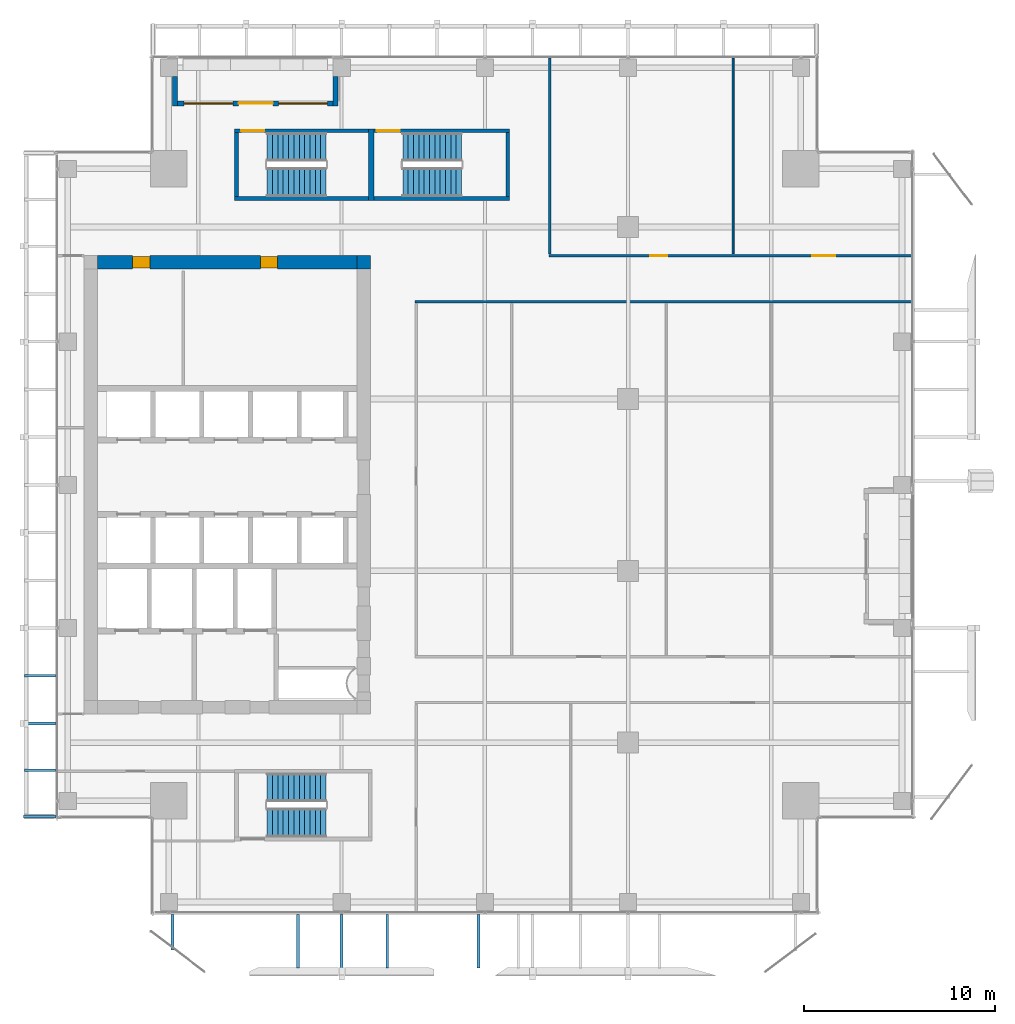
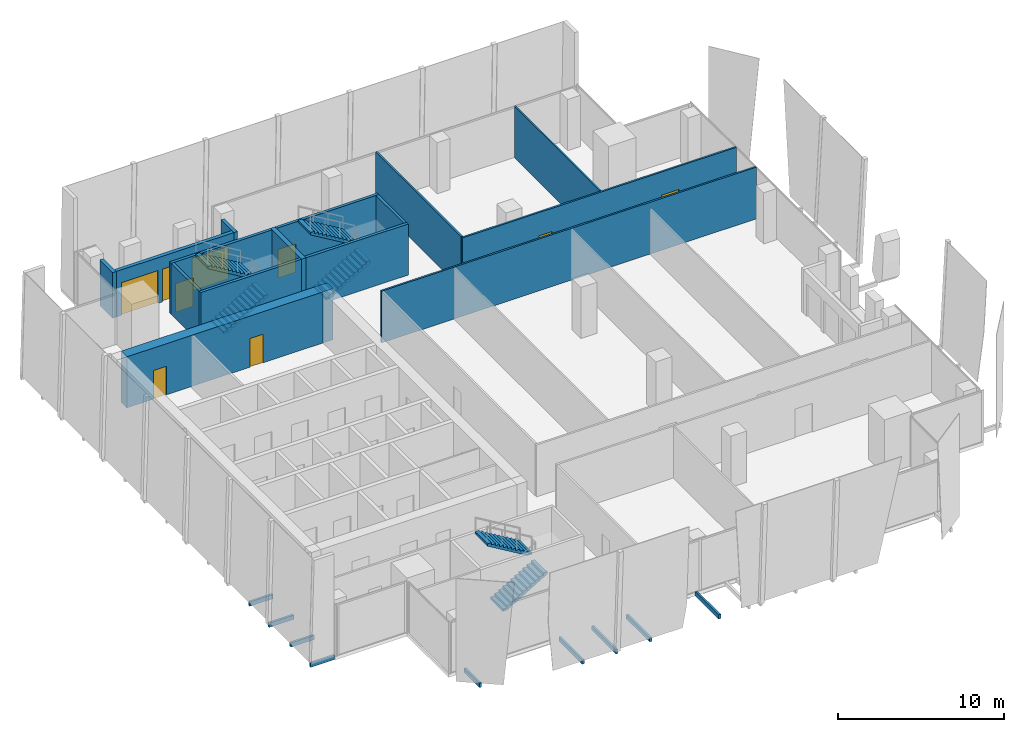
# One storey, part 30 of 35: 16 walls, 9 discrete accessories, 7 doors, 6 stair flights, 2 windows, 9 openings, 3 elements without a shape of their own.
"""IFC4 building model written with IfcOpenShell, lengths in metres."""

from ifc_helpers import new_model, si_unit, direction, frame, frame_2d, origin, origin_2d, place, context, subcontext, project, spatial, polyline, rectangle, outline, extrude, source, transform, mapped, material, layer, layer_set, type_object, element, fill, aggregate, save


model = new_model("IFC4")

# Units and contexts
model_context = context("Model", 3, precision=1e-05, world=origin(), true_north=direction((0.0, 1.0)))
body_context = subcontext(model_context, "Body", "Model", "MODEL_VIEW")
ifc_project = project(units=[si_unit("LENGTHUNIT", "METRE"), si_unit("AREAUNIT", "SQUARE_METRE"), si_unit("VOLUMEUNIT", "CUBIC_METRE"), si_unit("PLANEANGLEUNIT", "RADIAN"), si_unit("MASSUNIT", "GRAM", prefix="KILO")], contexts=[model_context])

# Site, building, storey
site_placement = place(None, origin())
site = spatial("IfcSite", under=ifc_project, at=site_placement, CompositionType="ELEMENT")
building_placement = place(site_placement, origin())
building = spatial("IfcBuilding", under=site, at=building_placement, Name="Khomas Fold Tower", CompositionType="ELEMENT")
storey_placement = place(building_placement, frame((0.0, 0.0, 258.199951171875)))
storey = spatial("IfcBuildingStorey", under=building, at=storey_placement, Name="L58", CompositionType="ELEMENT", Elevation=258.199951171875)

# Wall, opening, door
ifc_material_1 = material(Name="Concrete C50/60", Category="concrete")
ifc_layer_1 = layer(ifc_material_1, 0.199951171875)
ifc_layer_set_1 = layer_set([ifc_layer_1], Name="Concrete C50/60")
wall_type_1 = type_object("IfcWallType", Name="Stair wall 200", PredefinedType="SHEAR", material=ifc_layer_set_1)
shared_shape_1 = source(origin(), body_context, "Body", "SweptSolid", [
    extrude(rectangle(XDim=7.0, YDim=0.199951171875, at=frame_2d((3.5, 0.0))), origin(), (0.0, 0.0, 1.0), 3.75),
])
wall_1_placement = place(storey_placement, frame((13.89990234375, 45.550048828125, 0.0), z_axis=(0.0, 0.0, 1.0), x_axis=(1.0, 0.0, 0.0)))
wall_1 = element("IfcWall", 1, at=wall_1_placement, inside=storey, type_object=wall_type_1, Name="Stair wall SW-ST1-N", PredefinedType="SHEAR", context=body_context, shape_type="MappedRepresentation", body=[
    mapped(shared_shape_1, transform((0.0, 0.0, 0.0))),
])
shared_shape_2 = source(origin(), body_context, "Body", "SweptSolid", [
    extrude(rectangle(XDim=1.199951171875, YDim=2.10009765625, at=frame_2d((0.60009765625, 1.050048828125))), frame((0.0, 0.10986328125, 0.0), z_axis=(0.0, -1.0, 0.0), x_axis=(1.0, 0.0, 0.0)), (0.0, 0.0, 1.0), 0.219970703125),
])
opening_1_placement = place(wall_1_placement, frame((0.35009765625, 0.0, 0.0)))
opening_1 = element("IfcOpeningElement", 2, at=opening_1_placement, cuts=wall_1, Name="Opening SD-ST1", PredefinedType="OPENING", context=body_context, shape_type="MappedRepresentation", body=[
    mapped(shared_shape_2, transform((0.0, 0.0, 0.0))),
])
ifc_material_2 = material(Name="Steel door leaf", Category="steel")
door_type_1 = type_object("IfcDoorType", Name="Stair door 1200x2100 left-hand", OperationType="SINGLE_SWING_LEFT", PredefinedType="DOOR", material=ifc_material_2)
shared_shape_3 = source(origin(), body_context, "Body", "SweptSolid", [
    extrude(rectangle(XDim=1.199951171875, YDim=2.10009765625, at=frame_2d((0.60009765625, 1.050048828125))), frame((0.0, 0.02490234375, 0.0), z_axis=(0.0, -1.0, 0.0), x_axis=(1.0, 0.0, 0.0)), (0.0, 0.0, 1.0), 0.050048828125),
])
door_1_placement = place(opening_1_placement, origin())
door_1 = element("IfcDoor", 3, at=door_1_placement, inside=storey, type_object=door_type_1, Name="Stair door", OperationType="SINGLE_SWING_LEFT", OverallHeight=2.10009765625, OverallWidth=1.199951171875, PredefinedType="DOOR", context=body_context, shape_type="MappedRepresentation", body=[
    mapped(shared_shape_3, transform((0.0, 0.0, 0.0))),
])
fill(opening_1, door_1)

# Wall
wall_2_placement = place(storey_placement, frame((13.89990234375, 42.0, 0.0), z_axis=(0.0, 0.0, 1.0), x_axis=(1.0, 0.0, 0.0)))
element("IfcWall", 4, at=wall_2_placement, inside=storey, type_object=wall_type_1, Name="Stair wall SW-ST1-S", PredefinedType="SHEAR", context=body_context, shape_type="MappedRepresentation", body=[
    mapped(shared_shape_1, transform((0.0, 0.0, 0.0))),
])

# Wall, opening, door
shared_shape_4 = source(origin(), body_context, "Body", "SweptSolid", [
    extrude(rectangle(XDim=7.10009765625, YDim=0.199951171875, at=frame_2d((3.550048828125, 0.0))), origin(), (0.0, 0.0, 1.0), 3.75),
])
wall_3_placement = place(storey_placement, frame((21.199951171875, 45.550048828125, 0.0), z_axis=(0.0, 0.0, 1.0), x_axis=(1.0, 0.0, 0.0)))
wall_3 = element("IfcWall", 5, at=wall_3_placement, inside=storey, type_object=wall_type_1, Name="Stair wall SW-ST3-N", PredefinedType="SHEAR", context=body_context, shape_type="MappedRepresentation", body=[
    mapped(shared_shape_4, transform((0.0, 0.0, 0.0))),
])
opening_2_placement = place(wall_3_placement, frame((0.14990234375, 0.0, 0.0)))
opening_2 = element("IfcOpeningElement", 6, at=opening_2_placement, cuts=wall_3, Name="Opening SD-ST3", PredefinedType="OPENING", context=body_context, shape_type="MappedRepresentation", body=[
    mapped(shared_shape_2, transform((0.0, 0.0, 0.0))),
])
door_2_placement = place(opening_2_placement, origin())
door_2 = element("IfcDoor", 7, at=door_2_placement, inside=storey, type_object=door_type_1, Name="Stair door", OperationType="SINGLE_SWING_LEFT", OverallHeight=2.10009765625, OverallWidth=1.199951171875, PredefinedType="DOOR", context=body_context, shape_type="MappedRepresentation", body=[
    mapped(shared_shape_3, transform((0.0, 0.0, 0.0))),
])
fill(opening_2, door_2)

# Walls
wall_4_placement = place(storey_placement, frame((21.199951171875, 42.0, 0.0), z_axis=(0.0, 0.0, 1.0), x_axis=(1.0, 0.0, 0.0)))
element("IfcWall", 8, at=wall_4_placement, inside=storey, type_object=wall_type_1, Name="Stair wall SW-ST3-S", PredefinedType="SHEAR", context=body_context, shape_type="MappedRepresentation", body=[
    mapped(shared_shape_4, transform((0.0, 0.0, 0.0))),
])
ifc_material_3 = material(Name="Concrete C50/60", Category="concrete")
ifc_layer_2 = layer(ifc_material_3, 0.300048828125)
ifc_layer_set_2 = layer_set([ifc_layer_2], Name="Concrete C50/60")
wall_type_2 = type_object("IfcWallType", Name="Stair wall 300", PredefinedType="SHEAR", material=ifc_layer_set_2)
shared_shape_5 = source(origin(), body_context, "Body", "SweptSolid", [
    extrude(rectangle(XDim=3.75, YDim=0.300048828125, at=frame_2d((1.875, 0.0))), origin(), (0.0, 0.0, 1.0), 3.75),
])
wall_5_placement = place(storey_placement, frame((21.050048828125, 41.89990234375, 0.0), z_axis=(0.0, 0.0, 1.0), x_axis=(0.0, 1.0, 0.0)))
element("IfcWall", 9, at=wall_5_placement, inside=storey, type_object=wall_type_2, Name="Stair wall SW-ST1-E", PredefinedType="SHEAR", context=body_context, shape_type="MappedRepresentation", body=[
    mapped(shared_shape_5, transform((0.0, 0.0, 0.0))),
])
shared_shape_6 = source(origin(), body_context, "Body", "SweptSolid", [
    extrude(rectangle(XDim=3.349853515625, YDim=0.199951171875, at=frame_2d((1.6748046875, 0.0))), origin(), (0.0, 0.0, 1.0), 3.75),
])
for number, where, z_axis, x_axis, name in (
    (10, (14.0, 42.10009765625, 0.0), (0.0, 0.0, 1.0), (0.0, 1.0, 0.0), "Stair wall SW-ST1-W"),
    (11, (28.199951171875, 42.10009765625, 0.0), (0.0, 0.0, 1.0), (0.0, 1.0, 0.0), "Stair wall SW-ST3-E"),
):
    element("IfcWall", number, at=place(storey_placement, frame(where, z_axis=z_axis, x_axis=x_axis)), inside=storey, type_object=wall_type_1, Name=name, PredefinedType="SHEAR", context=body_context, shape_type="MappedRepresentation", body=[
        mapped(shared_shape_6, transform((0.0, 0.0, 0.0))),
    ])

# Wall, openings, doors
ifc_material_4 = material(Name="Concrete C60/75", Category="concrete")
ifc_layer_3 = layer(ifc_material_4, 0.699951171875)
ifc_layer_set_3 = layer_set([ifc_layer_3], Name="Concrete C60/75")
wall_type_3 = type_object("IfcWallType", Name="Core wall 700", PredefinedType="SHEAR", material=ifc_layer_set_3)
shared_shape_7 = source(origin(), body_context, "Body", "SweptSolid", [
    extrude(rectangle(XDim=13.60009765625, YDim=0.699951171875, at=frame_2d((6.800048828125, 0.0))), origin(), (0.0, 0.0, 1.0), 3.75),
])
wall_6_placement = place(storey_placement, frame((6.699951171875, 38.64990234375, 0.0), z_axis=(0.0, 0.0, 1.0), x_axis=(1.0, 0.0, 0.0)))
wall_6 = element("IfcWall", 12, at=wall_6_placement, inside=storey, type_object=wall_type_3, Name="Core wall CW-U-N-L49", PredefinedType="SHEAR", context=body_context, shape_type="MappedRepresentation", body=[
    mapped(shared_shape_7, transform((0.0, 0.0, 0.0))),
])
shared_shape_8 = source(origin(), body_context, "Body", "SweptSolid", [
    extrude(rectangle(XDim=0.89990234375, YDim=2.10009765625, at=frame_2d((0.449951171875, 1.050048828125))), frame((0.0, 0.35986328125, 0.0), z_axis=(0.0, -1.0, 0.0), x_axis=(1.0, 0.0, 0.0)), (0.0, 0.0, 1.0), 0.719970703125),
])
opening_3_placement = place(wall_6_placement, frame((1.85009765625, 0.0, 0.0)))
opening_3 = element("IfcOpeningElement", 13, at=opening_3_placement, cuts=wall_6, Name="Opening 0003", PredefinedType="OPENING", context=body_context, shape_type="MappedRepresentation", body=[
    mapped(shared_shape_8, transform((0.0, 0.0, 0.0))),
])
opening_4_placement = place(wall_6_placement, frame((8.550048828125, 0.0, 0.0)))
opening_4 = element("IfcOpeningElement", 14, at=opening_4_placement, cuts=wall_6, Name="Opening 0008", PredefinedType="OPENING", context=body_context, shape_type="MappedRepresentation", body=[
    mapped(shared_shape_8, transform((0.0, 0.0, 0.0))),
])
ifc_material_5 = material(Name="Steel door leaf", Category="steel")
door_type_2 = type_object("IfcDoorType", Name="Plant room door 900x2100 right-hand", OperationType="SINGLE_SWING_RIGHT", PredefinedType="DOOR", material=ifc_material_5)
shared_shape_9 = source(origin(), body_context, "Body", "SweptSolid", [
    extrude(rectangle(XDim=0.89990234375, YDim=2.10009765625, at=frame_2d((0.449951171875, 1.050048828125))), frame((0.0, 0.2998046875, 0.0), z_axis=(0.0, -1.0, 0.0), x_axis=(1.0, 0.0, 0.0)), (0.0, 0.0, 1.0), 0.599853515625),
])
door_3_placement = place(opening_3_placement, origin())
door_3 = element("IfcDoor", 15, at=door_3_placement, inside=storey, type_object=door_type_2, Name="Plant room door", OperationType="SINGLE_SWING_RIGHT", OverallHeight=2.10009765625, OverallWidth=0.89990234375, PredefinedType="DOOR", context=body_context, shape_type="MappedRepresentation", body=[
    mapped(shared_shape_9, transform((0.0, 0.0, 0.0))),
])
fill(opening_3, door_3)
ifc_material_6 = material(Name="Timber door leaf", Category="wood")
door_type_3 = type_object("IfcDoorType", Name="Door 900x2100 right-hand", OperationType="SINGLE_SWING_RIGHT", PredefinedType="DOOR", material=ifc_material_6)
door_4_placement = place(opening_4_placement, origin())
door_4 = element("IfcDoor", 16, at=door_4_placement, inside=storey, type_object=door_type_3, Name="Door", OperationType="SINGLE_SWING_RIGHT", OverallHeight=2.10009765625, OverallWidth=0.89990234375, PredefinedType="DOOR", context=body_context, shape_type="MappedRepresentation", body=[
    mapped(shared_shape_9, transform((0.0, 0.0, 0.0))),
])
fill(opening_4, door_4)

# Wall
ifc_material_7 = material(Name="Concrete C60/75", Category="concrete")
ifc_layer_4 = layer(ifc_material_7, 0.699951171875)
ifc_layer_set_4 = layer_set([ifc_layer_4], Name="Concrete C60/75")
wall_type_4 = type_object("IfcWallType", Name="Core corner wall 700", PredefinedType="SHEAR", material=ifc_layer_set_4)
shared_shape_10 = source(origin(), body_context, "Body", "SweptSolid", [
    extrude(rectangle(XDim=0.699951171875, YDim=0.699951171875, at=frame_2d((0.35009765625, 0.0))), origin(), (0.0, 0.0, 1.0), 3.75),
])
wall_7_placement = place(storey_placement, frame((20.300048828125, 38.64990234375, 0.0), z_axis=(0.0, 0.0, 1.0), x_axis=(1.0, 0.0, 0.0)))
element("IfcWall", 17, at=wall_7_placement, inside=storey, type_object=wall_type_4, Name="Core wall CW-U-NE-L49", PredefinedType="SHEAR", context=body_context, shape_type="MappedRepresentation", body=[
    mapped(shared_shape_10, transform((0.0, 0.0, 0.0))),
])

# Wall, openings, door, windows
ifc_material_8 = material(Name="Natural stone", Category="masonry")
ifc_layer_5 = layer(ifc_material_8, 0.0400390625)
ifc_material_9 = material(Name="Mineral wool insulation", Category="insulation")
ifc_layer_6 = layer(ifc_material_9, 0.10009765625)
ifc_material_10 = material(Name="Masonry", Category="masonry")
ifc_layer_7 = layer(ifc_material_10, 0.110107421875)
ifc_layer_set_5 = layer_set([ifc_layer_5, ifc_layer_6, ifc_layer_7], Name="Stone-faced insulated masonry")
wall_type_5 = type_object("IfcWallType", Name="BL-Balcony wall", PredefinedType="SOLIDWALL", material=ifc_layer_set_5)
shared_shape_11 = source(origin(), body_context, "Body", "SweptSolid", [
    extrude(rectangle(XDim=8.150146484375, YDim=0.25, at=frame_2d((4.0751953125, 0.0))), origin(), (0.0, 0.0, 1.0), 3.35009765625),
])
wall_8_placement = place(storey_placement, frame((10.89990234375, 46.97509765625, 0.0), z_axis=(0.0, 0.0, 1.0), x_axis=(1.0, 0.0, 0.0)))
wall_8 = element("IfcWall", 18, at=wall_8_placement, inside=storey, type_object=wall_type_5, Name="Balcony wall BAL-L58-N1", PredefinedType="SOLIDWALL", context=body_context, shape_type="MappedRepresentation", body=[
    mapped(shared_shape_11, transform((0.0, 0.0, 0.0))),
])
shared_shape_12 = source(origin(), body_context, "Body", "SweptSolid", [
    extrude(rectangle(XDim=2.550048828125, YDim=2.39990234375, at=frame_2d((1.27490234375, 1.199951171875))), frame((0.0, 0.135009765625, 0.0), z_axis=(0.0, -1.0, 0.0), x_axis=(1.0, 0.0, 0.0)), (0.0, 0.0, 1.0), 0.27001953125),
])
opening_5_placement = place(wall_8_placement, frame((0.35009765625, 0.0, 0.0)))
opening_5 = element("IfcOpeningElement", 19, at=opening_5_placement, cuts=wall_8, Name="Opening BL-W4", PredefinedType="OPENING", context=body_context, shape_type="MappedRepresentation", body=[
    mapped(shared_shape_12, transform((0.0, 0.0, 0.0))),
])
opening_6_placement = place(wall_8_placement, frame((5.300048828125, 0.0, 0.0)))
opening_6 = element("IfcOpeningElement", 20, at=opening_6_placement, cuts=wall_8, Name="Opening BL-W4", PredefinedType="OPENING", context=body_context, shape_type="MappedRepresentation", body=[
    mapped(shared_shape_12, transform((0.0, 0.0, 0.0))),
])
shared_shape_13 = source(origin(), body_context, "Body", "SweptSolid", [
    extrude(rectangle(XDim=1.800048828125, YDim=2.39990234375, at=frame_2d((0.89990234375, 1.199951171875))), frame((0.0, 0.135009765625, 0.0), z_axis=(0.0, -1.0, 0.0), x_axis=(1.0, 0.0, 0.0)), (0.0, 0.0, 1.0), 0.27001953125),
])
opening_7_placement = place(wall_8_placement, frame((3.199951171875, 0.0, 0.0)))
opening_7 = element("IfcOpeningElement", 21, at=opening_7_placement, cuts=wall_8, Name="Opening BD582", PredefinedType="OPENING", context=body_context, shape_type="MappedRepresentation", body=[
    mapped(shared_shape_13, transform((0.0, 0.0, 0.0))),
])
ifc_material_11 = material(Name="Aluminium framed double glazing", Category="aluminium")
door_type_4 = type_object("IfcDoorType", Name="BL-Glazed balcony door 1800 x 2400", OperationType="DOUBLE_DOOR_DOUBLE_SWING", PredefinedType="DOOR", material=ifc_material_11)
shared_shape_14 = source(origin(), body_context, "Body", "SweptSolid", [
    extrude(rectangle(XDim=1.800048828125, YDim=2.39990234375, at=frame_2d((0.89990234375, 1.199951171875))), frame((0.0, 0.02490234375, 0.0), z_axis=(0.0, -1.0, 0.0), x_axis=(1.0, 0.0, 0.0)), (0.0, 0.0, 1.0), 0.050048828125),
])
door_5_placement = place(opening_7_placement, origin())
door_5 = element("IfcDoor", 22, at=door_5_placement, inside=storey, type_object=door_type_4, Name="Balcony door BD582", OperationType="DOUBLE_DOOR_DOUBLE_SWING", OverallHeight=2.39990234375, OverallWidth=1.800048828125, PredefinedType="DOOR", context=body_context, shape_type="MappedRepresentation", body=[
    mapped(shared_shape_14, transform((0.0, 0.0, 0.0))),
])
fill(opening_7, door_5)
ifc_material_12 = material(Name="Aluminium framed double glazing", Category="aluminium")
window_type = type_object("IfcWindowType", Name="BL-Fixed glazing 2550 x 2400", PartitioningType="SINGLE_PANEL", PredefinedType="WINDOW", material=ifc_material_12)
shared_shape_15 = source(origin(), body_context, "Body", "SweptSolid", [
    extrude(rectangle(XDim=2.550048828125, YDim=2.39990234375, at=frame_2d((1.27490234375, 1.199951171875))), frame((0.0, 0.030029296875, 0.0), z_axis=(0.0, -1.0, 0.0), x_axis=(1.0, 0.0, 0.0)), (0.0, 0.0, 1.0), 0.06005859375),
])
window_1_placement = place(opening_5_placement, origin())
window_1 = element("IfcWindow", 23, at=window_1_placement, inside=storey, type_object=window_type, Name="Balcony glazing BAL-L58-N1-1", OverallHeight=2.39990234375, OverallWidth=2.550048828125, PartitioningType="SINGLE_PANEL", PredefinedType="WINDOW", context=body_context, shape_type="MappedRepresentation", body=[
    mapped(shared_shape_15, transform((0.0, 0.0, 0.0))),
])
fill(opening_5, window_1)
window_2_placement = place(opening_6_placement, origin())
window_2 = element("IfcWindow", 24, at=window_2_placement, inside=storey, type_object=window_type, Name="Balcony glazing BAL-L58-N1-2", OverallHeight=2.39990234375, OverallWidth=2.550048828125, PartitioningType="SINGLE_PANEL", PredefinedType="WINDOW", context=body_context, shape_type="MappedRepresentation", body=[
    mapped(shared_shape_15, transform((0.0, 0.0, 0.0))),
])
fill(opening_6, window_2)

# Walls
shared_shape_16 = source(origin(), body_context, "Body", "SweptSolid", [
    extrude(rectangle(XDim=1.5498046875, YDim=0.25, at=frame_2d((0.77490234375, 0.0))), origin(), (0.0, 0.0, 1.0), 3.35009765625),
])
for number, where, z_axis, x_axis, name in (
    (25, (10.77490234375, 48.39990234375, 0.0), (0.0, 0.0, 1.0), (0.0, -1.0, 0.0), "Balcony return wall BAL-L58-N1-lo"),
    (26, (19.175048828125, 48.39990234375, 0.0), (0.0, 0.0, 1.0), (0.0, -1.0, 0.0), "Balcony return wall BAL-L58-N1-hi"),
):
    element("IfcWall", number, at=place(storey_placement, frame(where, z_axis=z_axis, x_axis=x_axis)), inside=storey, type_object=wall_type_5, Name=name, PredefinedType="SOLIDWALL", context=body_context, shape_type="MappedRepresentation", body=[
        mapped(shared_shape_16, transform((0.0, 0.0, 0.0))),
    ])
ifc_material_13 = material(Name="Plasterboard partition")
ifc_layer_8 = layer(ifc_material_13, 0.125)
ifc_layer_set_6 = layer_set([ifc_layer_8], Name="Plasterboard partition")
wall_type_6 = type_object("IfcWallType", Name="Partition PW2 125", PredefinedType="PARTITIONING", material=ifc_layer_set_6)
shared_shape_17 = source(origin(), body_context, "Body", "SweptSolid", [
    extrude(rectangle(XDim=26.0, YDim=0.125, at=frame_2d((13.0, 0.0))), origin(), (0.0, 0.0, 1.0), 3.800048828125),
])
wall_9_placement = place(storey_placement, frame((23.35009765625, 36.60009765625, 0.0), z_axis=(0.0, 0.0, 1.0), x_axis=(1.0, 0.0, 0.0)))
element("IfcWall", 27, at=wall_9_placement, inside=storey, type_object=wall_type_6, Name="Partition", PredefinedType="PARTITIONING", context=body_context, shape_type="MappedRepresentation", body=[
    mapped(shared_shape_17, transform((0.0, 0.0, 0.0))),
])

# Wall, openings, doors
shared_shape_18 = source(origin(), body_context, "Body", "SweptSolid", [
    extrude(rectangle(XDim=19.0, YDim=0.125, at=frame_2d((9.5, 0.0))), origin(), (0.0, 0.0, 1.0), 3.800048828125),
])
wall_10_placement = place(storey_placement, frame((30.35009765625, 39.0, 0.0), z_axis=(0.0, 0.0, 1.0), x_axis=(1.0, 0.0, 0.0)))
wall_10 = element("IfcWall", 28, at=wall_10_placement, inside=storey, type_object=wall_type_6, Name="Partition", PredefinedType="PARTITIONING", context=body_context, shape_type="MappedRepresentation", body=[
    mapped(shared_shape_18, transform((0.0, 0.0, 0.0))),
])
shared_shape_19 = source(origin(), body_context, "Body", "SweptSolid", [
    extrude(rectangle(XDim=0.89990234375, YDim=2.10009765625, at=frame_2d((0.449951171875, 1.050048828125))), frame((0.0, 0.072509765625, 0.0), z_axis=(0.0, -1.0, 0.0), x_axis=(1.0, 0.0, 0.0)), (0.0, 0.0, 1.0), 0.14501953125),
])
opening_8_placement = place(wall_10_placement, frame((5.300048828125, 0.0, 0.0)))
opening_8 = element("IfcOpeningElement", 29, at=opening_8_placement, cuts=wall_10, Name="Opening 0007", PredefinedType="OPENING", context=body_context, shape_type="MappedRepresentation", body=[
    mapped(shared_shape_19, transform((0.0, 0.0, 0.0))),
])
shared_shape_20 = source(origin(), body_context, "Body", "SweptSolid", [
    extrude(rectangle(XDim=1.199951171875, YDim=2.10009765625, at=frame_2d((0.60009765625, 1.050048828125))), frame((0.0, 0.072509765625, 0.0), z_axis=(0.0, -1.0, 0.0), x_axis=(1.0, 0.0, 0.0)), (0.0, 0.0, 1.0), 0.14501953125),
])
opening_9_placement = place(wall_10_placement, frame((13.800048828125, 0.0, 0.0)))
opening_9 = element("IfcOpeningElement", 30, at=opening_9_placement, cuts=wall_10, Name="Opening 0013", PredefinedType="OPENING", context=body_context, shape_type="MappedRepresentation", body=[
    mapped(shared_shape_20, transform((0.0, 0.0, 0.0))),
])
ifc_material_14 = material(Name="Timber door leaf", Category="wood")
door_type_5 = type_object("IfcDoorType", Name="Door 900x2100 left-hand", OperationType="SINGLE_SWING_LEFT", PredefinedType="DOOR", material=ifc_material_14)
shared_shape_21 = source(origin(), body_context, "Body", "SweptSolid", [
    extrude(rectangle(XDim=0.89990234375, YDim=2.10009765625, at=frame_2d((0.449951171875, 1.050048828125))), frame((0.0, 0.02490234375, 0.0), z_axis=(0.0, -1.0, 0.0), x_axis=(1.0, 0.0, 0.0)), (0.0, 0.0, 1.0), 0.050048828125),
])
door_6_placement = place(opening_8_placement, origin())
door_6 = element("IfcDoor", 31, at=door_6_placement, inside=storey, type_object=door_type_5, Name="Door", OperationType="SINGLE_SWING_LEFT", OverallHeight=2.10009765625, OverallWidth=0.89990234375, PredefinedType="DOOR", context=body_context, shape_type="MappedRepresentation", body=[
    mapped(shared_shape_21, transform((0.0, 0.0, 0.0))),
])
fill(opening_8, door_6)
ifc_material_15 = material(Name="Timber door leaf", Category="wood")
door_type_6 = type_object("IfcDoorType", Name="Door 1200x2100 left-hand", OperationType="SINGLE_SWING_LEFT", PredefinedType="DOOR", material=ifc_material_15)
door_7_placement = place(opening_9_placement, origin())
door_7 = element("IfcDoor", 32, at=door_7_placement, inside=storey, type_object=door_type_6, Name="Door", OperationType="SINGLE_SWING_LEFT", OverallHeight=2.10009765625, OverallWidth=1.199951171875, PredefinedType="DOOR", context=body_context, shape_type="MappedRepresentation", body=[
    mapped(shared_shape_3, transform((0.0, 0.0, 0.0))),
])
fill(opening_9, door_7)

# Walls
shared_shape_22 = source(origin(), body_context, "Body", "SweptSolid", [
    extrude(rectangle(XDim=10.25, YDim=0.125, at=frame_2d((5.125, 0.0))), origin(), (0.0, 0.0, 1.0), 3.800048828125),
])
wall_11_placement = place(storey_placement, frame((30.39990234375, 39.10009765625, 0.0), z_axis=(0.0, 0.0, 1.0), x_axis=(0.0, 1.0, 0.0)))
element("IfcWall", 33, at=wall_11_placement, inside=storey, type_object=wall_type_6, Name="Partition", PredefinedType="PARTITIONING", context=body_context, shape_type="MappedRepresentation", body=[
    mapped(shared_shape_22, transform((0.0, 0.0, 0.0))),
])
ifc_material_16 = material(Name="Plasterboard partition")
ifc_layer_9 = layer(ifc_material_16, 0.10009765625)
ifc_layer_set_7 = layer_set([ifc_layer_9], Name="Plasterboard partition")
wall_type_7 = type_object("IfcWallType", Name="Partition PW1 100", PredefinedType="PARTITIONING", material=ifc_layer_set_7)
shared_shape_23 = source(origin(), body_context, "Body", "SweptSolid", [
    extrude(rectangle(XDim=10.25, YDim=0.10009765625, at=frame_2d((5.125, 0.0))), origin(), (0.0, 0.0, 1.0), 3.800048828125),
])
wall_12_placement = place(storey_placement, frame((40.0, 39.10009765625, 0.0), z_axis=(0.0, 0.0, 1.0), x_axis=(0.0, 1.0, 0.0)))
element("IfcWall", 34, at=wall_12_placement, inside=storey, type_object=wall_type_7, Name="Partition", PredefinedType="PARTITIONING", context=body_context, shape_type="MappedRepresentation", body=[
    mapped(shared_shape_23, transform((0.0, 0.0, 0.0))),
])

# Stair, stair flights
ifc_material_17 = material(Name="Concrete C40/50", Category="concrete")
stair_type_1 = type_object("IfcStairType", Name="Stair ST1", PredefinedType="HALF_TURN_STAIR", material=ifc_material_17)
stair_1_placement = place(storey_placement, origin())
stair_1 = element("IfcStair", 35, at=stair_1_placement, inside=storey, type_object=stair_type_1, Name="L58 ST1", PredefinedType="HALF_TURN_STAIR")
ifc_material_18 = material(Name="Concrete C40/50", Category="concrete")
stair_flight_type_1 = type_object("IfcStairFlightType", Name="Stair flight 1500 ST1", PredefinedType="STRAIGHT", material=ifc_material_18)
shared_shape_24 = source(origin(), body_context, "Body", "SweptSolid", [
    extrude(outline(polyline([(0.0, 0.0), (0.0, 0.012939453125), (0.0, 0.025634765625), (0.0, 0.03857421875), (0.0, 0.05126953125), (0.0, 0.064208984375), (0.0, 0.076904296875), (0.0, 0.08984375), (0.0, 0.1025390625), (0.0, 0.115478515625), (0.0, 0.128173828125), (0.0, 0.14111328125), (0.0, 0.15380859375), (0.0, 0.166748046875), (0.280029296875, 0.166748046875), (0.280029296875, 0.333251953125), (0.56005859375, 0.333251953125), (0.56005859375, 0.5), (0.840087890625, 0.5), (0.840087890625, 0.666748046875), (1.1201171875, 0.666748046875), (1.1201171875, 0.833251953125), (1.39990234375, 0.833251953125), (1.39990234375, 1.0), (1.679931640625, 1.0), (1.679931640625, 1.166748046875), (1.9599609375, 1.166748046875), (1.9599609375, 1.333251953125), (2.239990234375, 1.333251953125), (2.239990234375, 1.5), (2.52001953125, 1.5), (2.52001953125, 1.666748046875), (2.800048828125, 1.666748046875), (2.800048828125, 1.833251953125), (3.080078125, 1.833251953125), (3.080078125, 2.0), (3.080078125, 1.973876953125), (3.080078125, 1.947509765625), (3.080078125, 1.92138671875), (3.080078125, 1.89501953125), (3.080078125, 1.868896484375), (3.080078125, 1.842529296875), (3.080078125, 1.81640625), (3.080078125, 1.7900390625), (3.080078125, 1.763916015625), (3.080078125, 1.737548828125), (3.080078125, 1.71142578125), (3.080078125, 1.68505859375), (3.080078125, 1.658935546875), (0.29296875, 0.0), (0.0, 0.0)])), frame((0.0, 0.75, 0.0), z_axis=(0.0, -1.0, 0.0), x_axis=(1.0, 0.0, 0.0)), (0.0, 0.0, 1.0), 1.5),
])
stair_flight_1_placement = place(storey_placement, frame((15.60009765625, 42.85009765625, 0.0), z_axis=(0.0, 0.0, 1.0), x_axis=(1.0, 0.0, 0.0)))
stair_flight_1 = element("IfcStairFlight", 36, at=stair_flight_1_placement, type_object=stair_flight_type_1, Name="ST1 flight 1", NumberOfRisers=12, NumberOfTreads=11, PredefinedType="STRAIGHT", RiserHeight=0.166666667, TreadLength=0.28, context=body_context, shape_type="MappedRepresentation", body=[
    mapped(shared_shape_24, transform((0.0, 0.0, 0.0))),
])
stair_flight_2_placement = place(storey_placement, frame((18.679931640625, 44.699951171875, 2.0), z_axis=(0.0, 0.0, 1.0), x_axis=(-1.0, 0.0, 0.0)))
stair_flight_2 = element("IfcStairFlight", 37, at=stair_flight_2_placement, type_object=stair_flight_type_1, Name="ST1 flight 2", NumberOfRisers=12, NumberOfTreads=11, PredefinedType="STRAIGHT", RiserHeight=0.166666667, TreadLength=0.28, context=body_context, shape_type="MappedRepresentation", body=[
    mapped(shared_shape_24, transform((0.0, 0.0, 0.0))),
])
aggregate(stair_1, [stair_flight_1, stair_flight_2])

ifc_material_19 = material(Name="Concrete C40/50", Category="concrete")
stair_type_2 = type_object("IfcStairType", Name="Stair ST2", PredefinedType="HALF_TURN_STAIR", material=ifc_material_19)
stair_2_placement = place(storey_placement, origin())
stair_2 = element("IfcStair", 38, at=stair_2_placement, inside=storey, type_object=stair_type_2, Name="L58 ST2", PredefinedType="HALF_TURN_STAIR")
ifc_material_20 = material(Name="Concrete C40/50", Category="concrete")
stair_flight_type_2 = type_object("IfcStairFlightType", Name="Stair flight 1500 ST2", PredefinedType="STRAIGHT", material=ifc_material_20)
stair_flight_3_placement = place(storey_placement, frame((15.60009765625, 9.300048828125, 0.0), z_axis=(0.0, 0.0, 1.0), x_axis=(1.0, 0.0, 0.0)))
stair_flight_3 = element("IfcStairFlight", 39, at=stair_flight_3_placement, type_object=stair_flight_type_2, Name="ST2 flight 1", NumberOfRisers=12, NumberOfTreads=11, PredefinedType="STRAIGHT", RiserHeight=0.166666667, TreadLength=0.28, context=body_context, shape_type="MappedRepresentation", body=[
    mapped(shared_shape_24, transform((0.0, 0.0, 0.0))),
])
stair_flight_4_placement = place(storey_placement, frame((18.679931640625, 11.14990234375, 2.0), z_axis=(0.0, 0.0, 1.0), x_axis=(-1.0, 0.0, 0.0)))
stair_flight_4 = element("IfcStairFlight", 40, at=stair_flight_4_placement, type_object=stair_flight_type_2, Name="ST2 flight 2", NumberOfRisers=12, NumberOfTreads=11, PredefinedType="STRAIGHT", RiserHeight=0.166666667, TreadLength=0.28, context=body_context, shape_type="MappedRepresentation", body=[
    mapped(shared_shape_24, transform((0.0, 0.0, 0.0))),
])
aggregate(stair_2, [stair_flight_3, stair_flight_4])

ifc_material_21 = material(Name="Concrete C40/50", Category="concrete")
stair_type_3 = type_object("IfcStairType", Name="Stair ST3", PredefinedType="HALF_TURN_STAIR", material=ifc_material_21)
stair_3_placement = place(storey_placement, origin())
stair_3 = element("IfcStair", 41, at=stair_3_placement, inside=storey, type_object=stair_type_3, Name="L58 ST3", PredefinedType="HALF_TURN_STAIR")
ifc_material_22 = material(Name="Concrete C40/50", Category="concrete")
stair_flight_type_3 = type_object("IfcStairFlightType", Name="Stair flight 1500 ST3", PredefinedType="STRAIGHT", material=ifc_material_22)
stair_flight_5_placement = place(storey_placement, frame((22.699951171875, 42.85009765625, 0.0), z_axis=(0.0, 0.0, 1.0), x_axis=(1.0, 0.0, 0.0)))
stair_flight_5 = element("IfcStairFlight", 42, at=stair_flight_5_placement, type_object=stair_flight_type_3, Name="ST3 flight 1", NumberOfRisers=12, NumberOfTreads=11, PredefinedType="STRAIGHT", RiserHeight=0.166666667, TreadLength=0.28, context=body_context, shape_type="MappedRepresentation", body=[
    mapped(shared_shape_24, transform((0.0, 0.0, 0.0))),
])
stair_flight_6_placement = place(storey_placement, frame((25.780029296875, 44.699951171875, 2.0), z_axis=(0.0, 0.0, 1.0), x_axis=(-1.0, 0.0, 0.0)))
stair_flight_6 = element("IfcStairFlight", 43, at=stair_flight_6_placement, type_object=stair_flight_type_3, Name="ST3 flight 2", NumberOfRisers=12, NumberOfTreads=11, PredefinedType="STRAIGHT", RiserHeight=0.166666667, TreadLength=0.28, context=body_context, shape_type="MappedRepresentation", body=[
    mapped(shared_shape_24, transform((0.0, 0.0, 0.0))),
])
aggregate(stair_3, [stair_flight_5, stair_flight_6])

# Discrete accessories
ifc_material_23 = material(Name="Stainless steel", Category="steel")
discrete_accessory_type = type_object("IfcDiscreteAccessoryType", Name="SK-Stainless steel stone bracket", PredefinedType="BRACKET", material=ifc_material_23)
shared_shape_25 = source(origin(), body_context, "Body", "SweptSolid", [
    extrude(rectangle(XDim=2.813232421875, YDim=0.14990234375, at=origin_2d()), origin(), (0.0, 0.0, 1.0), 0.31005859375),
])
for number, where, z_axis, x_axis, name in (
    (44, (26.675048828125, 3.09326171875, -0.25), (0.0, 0.0, 1.0), (0.0, -1.0, 0.0), "Stone bracket L58 SS06-2-3"),
    (45, (17.211669921875, 3.09326171875, -0.25), (0.0, 0.0, 1.0), (0.0, -1.0, 0.0), "Stone bracket L58 SG099-2-1"),
    (46, (21.88818359375, 3.09326171875, -0.25), (0.0, 0.0, 1.0), (0.0, -1.0, 0.0), "Stone bracket L58 SG100-4-1"),
):
    element("IfcDiscreteAccessory", number, at=place(storey_placement, frame(where, z_axis=z_axis, x_axis=x_axis)), inside=storey, type_object=discrete_accessory_type, Name=name, PredefinedType="BRACKET", context=body_context, shape_type="MappedRepresentation", body=[
        mapped(shared_shape_25, transform((0.0, 0.0, 0.0))),
    ])
shared_shape_26 = source(origin(), body_context, "Body", "SweptSolid", [
    extrude(rectangle(XDim=1.85107421875, YDim=0.14990234375, at=origin_2d()), origin(), (0.0, 0.0, 1.0), 0.31005859375),
])
discrete_accessory_1_placement = place(storey_placement, frame((10.6484375, 3.574462890625, -0.25), z_axis=(0.0, 0.0, 1.0), x_axis=(0.0, -1.0, 0.0)))
element("IfcDiscreteAccessory", 47, at=discrete_accessory_1_placement, inside=storey, type_object=discrete_accessory_type, Name="Stone bracket L58 SG098-1-1", PredefinedType="BRACKET", context=body_context, shape_type="MappedRepresentation", body=[
    mapped(shared_shape_26, transform((0.0, 0.0, 0.0))),
])
shared_shape_27 = source(origin(), body_context, "Body", "SweptSolid", [
    extrude(rectangle(XDim=2.908203125, YDim=0.14990234375, at=origin_2d()), origin(), (0.0, 0.0, 1.0), 0.31005859375),
])
discrete_accessory_2_placement = place(storey_placement, frame((19.5, 3.0458984375, -0.25), z_axis=(0.0, 0.0, 1.0), x_axis=(0.0, -1.0, 0.0)))
element("IfcDiscreteAccessory", 48, at=discrete_accessory_2_placement, inside=storey, type_object=discrete_accessory_type, Name="Stone bracket L58 SM100-3-1", PredefinedType="BRACKET", context=body_context, shape_type="MappedRepresentation", body=[
    mapped(shared_shape_27, transform((0.0, 0.0, 0.0))),
])
shared_shape_28 = source(origin(), body_context, "Body", "SweptSolid", [
    extrude(rectangle(XDim=1.620849609375, YDim=0.14990234375, at=origin_2d()), origin(), (0.0, 0.0, 1.0), 0.31005859375),
])
for number, where, z_axis, x_axis, name in (
    (49, (3.689453125, 12.050048828125, -0.25), (0.0, 0.0, 1.0), (-1.0, 0.0, 0.0), "Stone bracket L58 PLWG01"),
    (50, (3.689453125, 17.0, -0.25), (0.0, 0.0, 1.0), (-1.0, 0.0, 0.0), "Stone bracket L58 PLWG03"),
):
    element("IfcDiscreteAccessory", number, at=place(storey_placement, frame(where, z_axis=z_axis, x_axis=x_axis)), inside=storey, type_object=discrete_accessory_type, Name=name, PredefinedType="BRACKET", context=body_context, shape_type="MappedRepresentation", body=[
        mapped(shared_shape_28, transform((0.0, 0.0, 0.0))),
    ])
shared_shape_29 = source(origin(), body_context, "Body", "SweptSolid", [
    extrude(rectangle(XDim=1.7158203125, YDim=0.14990234375, at=origin_2d()), origin(), (0.0, 0.0, 1.0), 0.31005859375),
])
discrete_accessory_3_placement = place(storey_placement, frame((3.64208984375, 14.5, -0.25), z_axis=(0.0, 0.0, 1.0), x_axis=(-1.0, 0.0, 0.0)))
element("IfcDiscreteAccessory", 51, at=discrete_accessory_3_placement, inside=storey, type_object=discrete_accessory_type, Name="Stone bracket L58 PLWM02", PredefinedType="BRACKET", context=body_context, shape_type="MappedRepresentation", body=[
    mapped(shared_shape_29, transform((0.0, 0.0, 0.0))),
])
shared_shape_30 = source(origin(), body_context, "Body", "SweptSolid", [
    extrude(rectangle(XDim=1.660888671875, YDim=0.14990234375, at=origin_2d()), origin(), (0.0, 0.0, 1.0), 0.31005859375),
])
discrete_accessory_4_placement = place(storey_placement, frame((3.669677734375, 9.625, -0.25), z_axis=(0.0, 0.0, 1.0), x_axis=(-1.0, 0.0, 0.0)))
element("IfcDiscreteAccessory", 52, at=discrete_accessory_4_placement, inside=storey, type_object=discrete_accessory_type, Name="Stone bracket L58 PLWR1", PredefinedType="BRACKET", context=body_context, shape_type="MappedRepresentation", body=[
    mapped(shared_shape_30, transform((0.0, 0.0, 0.0))),
])

save(model, "model.ifc")
